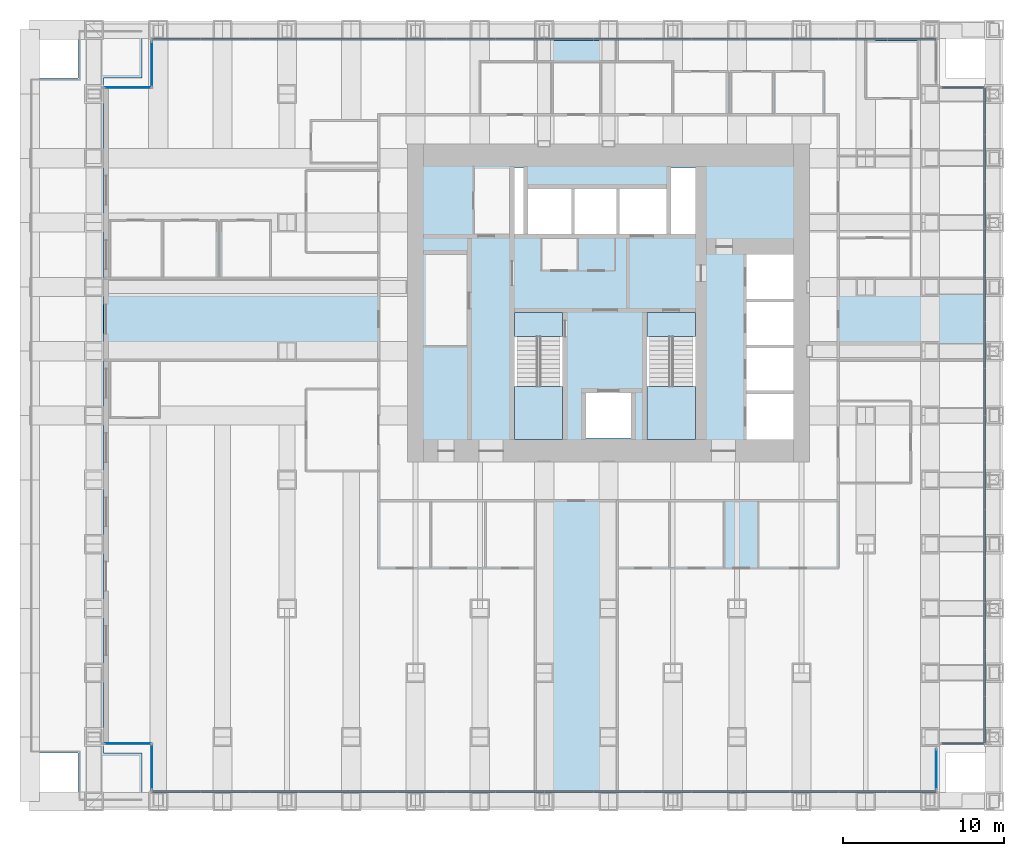
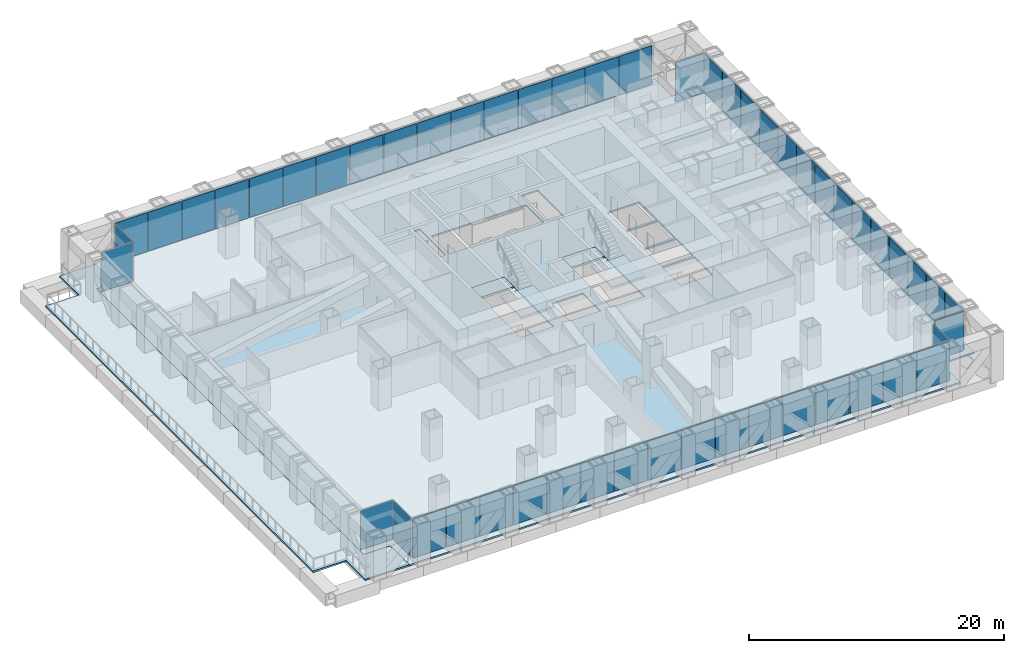
# One storey, part 12 of 18: 53 plates, 6 slabs, 12 elements without a shape of their own.
"""IFC4 building model written with IfcOpenShell, lengths in metres."""

from ifc_helpers import new_model, si_unit, direction, frame, origin, origin_2d, place, context, subcontext, project, spatial, polyline, rectangle, outline, extrude, material, layer, layer_set, type_object, element, aggregate, save


model = new_model("IFC4")

# Units and contexts
model_context = context("Model", 3, precision=1e-05, world=origin(), true_north=direction((0.0, 1.0)))
body_context = subcontext(model_context, "Body", "Model", "MODEL_VIEW")
ifc_project = project(units=[si_unit("LENGTHUNIT", "METRE"), si_unit("AREAUNIT", "SQUARE_METRE"), si_unit("VOLUMEUNIT", "CUBIC_METRE"), si_unit("PLANEANGLEUNIT", "RADIAN"), si_unit("MASSUNIT", "GRAM", prefix="KILO")], contexts=[model_context])

# Site, building, storey
site_placement = place(None, origin())
site = spatial("IfcSite", under=ifc_project, at=site_placement, CompositionType="ELEMENT")
building_placement = place(site_placement, origin())
building = spatial("IfcBuilding", under=site, at=building_placement, Name="Rimbunsela Tower", CompositionType="ELEMENT")
storey_placement = place(building_placement, frame((0.0, 0.0, 11.0)))
storey = spatial("IfcBuildingStorey", under=building, at=storey_placement, Name="L02", CompositionType="ELEMENT", Elevation=11.0)

# Slab
ifc_material_1 = material(Name="Concrete fc' 35 MPa", Category="concrete")
ifc_layer_1 = layer(ifc_material_1, 0.14990234375)
ifc_layer_set_1 = layer_set([ifc_layer_1], Name="Floor slab 150")
slab_type_1 = type_object("IfcSlabType", Name="Floor slab 150", PredefinedType="FLOOR", material=ifc_layer_set_1)
slab_1_placement = place(storey_placement, frame((0.0, 0.0, -0.14990234375)))
element("IfcSlab", 1, at=slab_1_placement, inside=storey, type_object=slab_type_1, Name="Floor slab L02", PredefinedType="FLOOR", context=body_context, shape_type="SweptSolid", body=[
    extrude(outline(polyline([(1.0, 41.0), (-1.39990234375, 41.0), (-1.39990234375, -1.0), (1.0, -1.0), (1.0, -4.0), (51.0, -4.0), (51.0, -1.0), (54.0, -1.0), (54.0, 41.0), (51.0, 41.0), (51.0, 44.0), (1.0, 44.0), (1.0, 41.0)]), holes=[polyline([(27.14990234375, 18.60009765625), (27.14990234375, 26.39990234375), (24.14990234375, 26.39990234375), (24.14990234375, 18.60009765625), (27.14990234375, 18.60009765625)]), polyline([(24.699951171875, 31.300048828125), (24.699951171875, 35.39990234375), (24.14990234375, 35.39990234375), (24.14990234375, 31.300048828125), (24.699951171875, 31.300048828125)]), polyline([(25.0, 34.10009765625), (25.0, 31.300048828125), (33.60009765625, 31.300048828125), (33.60009765625, 34.10009765625), (25.0, 34.10009765625)]), polyline([(31.39990234375, 21.39990234375), (28.60009765625, 21.39990234375), (28.60009765625, 18.60009765625), (31.39990234375, 18.60009765625), (31.39990234375, 21.39990234375)]), polyline([(35.39990234375, 18.60009765625), (35.39990234375, 26.39990234375), (32.39990234375, 26.39990234375), (32.39990234375, 18.60009765625), (35.39990234375, 18.60009765625)]), polyline([(35.39990234375, 31.300048828125), (35.39990234375, 35.39990234375), (33.89990234375, 35.39990234375), (33.89990234375, 31.300048828125), (35.39990234375, 31.300048828125)]), polyline([(41.5, 21.35009765625), (38.60009765625, 21.35009765625), (38.60009765625, 18.5), (41.5, 18.5), (41.5, 21.35009765625)]), polyline([(41.5, 21.550048828125), (41.5, 24.199951171875), (38.60009765625, 24.199951171875), (38.60009765625, 21.550048828125), (41.5, 21.550048828125)]), polyline([(41.5, 27.050048828125), (38.60009765625, 27.050048828125), (38.60009765625, 24.39990234375), (41.5, 24.39990234375), (41.5, 27.050048828125)]), polyline([(41.5, 27.25), (41.5, 30.0), (38.60009765625, 30.0), (38.60009765625, 27.25), (41.5, 27.25)])]), origin(), (0.0, 0.0, 1.0), 0.14990234375),
])

# Curtain wall, plate
ifc_material_2 = material(Name="Aluminium curtain wall", Category="aluminium")
curtain_wall_type_1 = type_object("IfcCurtainWallType", Name="Corner glazing", PredefinedType="USERDEFINED", material=ifc_material_2)
curtain_wall_1_placement = place(storey_placement, origin())
curtain_wall_1 = element("IfcCurtainWall", 2, at=curtain_wall_1_placement, inside=storey, type_object=curtain_wall_type_1, Name="Corner glazing L02", ObjectType="CORNER GLAZING", PredefinedType="USERDEFINED")
ifc_material_3 = material(Name="Clear double glazing", Category="glass")
ifc_layer_2 = layer(ifc_material_3, 0.028076171875)
ifc_layer_set_2 = layer_set([ifc_layer_2], Name="Glazed panel clear")
plate_type_1 = type_object("IfcPlateType", Name="Glazed panel clear", PredefinedType="CURTAIN_PANEL", material=ifc_layer_set_2)
plate_1_placement = place(storey_placement, frame((50.39990234375, -2.0, 0.06005859375), z_axis=(0.0, 0.0, 1.0), x_axis=(0.0, 1.0, 0.0)))
plate_1 = element("IfcPlate", 3, at=plate_1_placement, type_object=plate_type_1, Name="CW5 panel 1.1", PredefinedType="CURTAIN_PANEL", context=body_context, shape_type="SweptSolid", body=[
    extrude(rectangle(XDim=2.47998046875, YDim=0.028076171875, at=origin_2d()), origin(), (0.0, 0.0, 1.0), 3.72998046875),
])
aggregate(curtain_wall_1, [plate_1])

curtain_wall_2_placement = place(storey_placement, origin())
curtain_wall_2 = element("IfcCurtainWall", 4, at=curtain_wall_2_placement, inside=storey, type_object=curtain_wall_type_1, Name="Corner glazing L02", ObjectType="CORNER GLAZING", PredefinedType="USERDEFINED")
plate_2_placement = place(storey_placement, frame((1.60009765625, 41.85009765625, 0.06005859375), z_axis=(0.0, 0.0, 1.0), x_axis=(0.0, -1.0, 0.0)))
plate_2 = element("IfcPlate", 5, at=plate_2_placement, type_object=plate_type_1, Name="CW5 panel 1.1", PredefinedType="CURTAIN_PANEL", context=body_context, shape_type="SweptSolid", body=[
    extrude(rectangle(XDim=2.780029296875, YDim=0.028076171875, at=origin_2d()), origin(), (0.0, 0.0, 1.0), 3.72998046875),
])
aggregate(curtain_wall_2, [plate_2])

curtain_wall_3_placement = place(storey_placement, origin())
curtain_wall_3 = element("IfcCurtainWall", 6, at=curtain_wall_3_placement, inside=storey, type_object=curtain_wall_type_1, Name="Corner glazing L02", ObjectType="CORNER GLAZING", PredefinedType="USERDEFINED")
plate_3_placement = place(storey_placement, frame((0.10009765625, 40.39990234375, 0.06005859375), z_axis=(0.0, 0.0, 1.0), x_axis=(-1.0, 0.0, 0.0)))
plate_3 = element("IfcPlate", 7, at=plate_3_placement, type_object=plate_type_1, Name="CW5 panel 1.1", PredefinedType="CURTAIN_PANEL", context=body_context, shape_type="SweptSolid", body=[
    extrude(rectangle(XDim=2.8798828125, YDim=0.028076171875, at=origin_2d()), origin(), (0.0, 0.0, 1.0), 3.72998046875),
])
aggregate(curtain_wall_3, [plate_3])

curtain_wall_4_placement = place(storey_placement, origin())
curtain_wall_4 = element("IfcCurtainWall", 8, at=curtain_wall_4_placement, inside=storey, type_object=curtain_wall_type_1, Name="Corner glazing L02", ObjectType="CORNER GLAZING", PredefinedType="USERDEFINED")
plate_4_placement = place(storey_placement, frame((0.10009765625, -0.39990234375, 0.06005859375), z_axis=(0.0, 0.0, 1.0), x_axis=(1.0, 0.0, 0.0)))
plate_4 = element("IfcPlate", 9, at=plate_4_placement, type_object=plate_type_1, Name="CW5 panel 1.1", PredefinedType="CURTAIN_PANEL", context=body_context, shape_type="SweptSolid", body=[
    extrude(rectangle(XDim=2.8798828125, YDim=0.028076171875, at=origin_2d()), origin(), (0.0, 0.0, 1.0), 3.72998046875),
])
aggregate(curtain_wall_4, [plate_4])

curtain_wall_5_placement = place(storey_placement, origin())
curtain_wall_5 = element("IfcCurtainWall", 10, at=curtain_wall_5_placement, inside=storey, type_object=curtain_wall_type_1, Name="Corner glazing L02", ObjectType="CORNER GLAZING", PredefinedType="USERDEFINED")
plate_5_placement = place(storey_placement, frame((1.60009765625, -1.85009765625, 0.06005859375), z_axis=(0.0, 0.0, 1.0), x_axis=(0.0, -1.0, 0.0)))
plate_5 = element("IfcPlate", 11, at=plate_5_placement, type_object=plate_type_1, Name="CW5 panel 1.1", PredefinedType="CURTAIN_PANEL", context=body_context, shape_type="SweptSolid", body=[
    extrude(rectangle(XDim=2.780029296875, YDim=0.028076171875, at=origin_2d()), origin(), (0.0, 0.0, 1.0), 3.72998046875),
])
aggregate(curtain_wall_5, [plate_5])

ifc_material_4 = material(Name="Aluminium curtain wall", Category="aluminium")
curtain_wall_type_2 = type_object("IfcCurtainWallType", Name="Spandrel wall", PredefinedType="USERDEFINED", material=ifc_material_4)
curtain_wall_6_placement = place(storey_placement, origin())
curtain_wall_6 = element("IfcCurtainWall", 12, at=curtain_wall_6_placement, inside=storey, type_object=curtain_wall_type_2, Name="Spandrel wall L02", ObjectType="SPANDREL WALL", PredefinedType="USERDEFINED")
ifc_material_5 = material(Name="Insulated aluminium spandrel panel", Category="aluminium")
ifc_layer_3 = layer(ifc_material_5, 0.10009765625)
ifc_layer_set_3 = layer_set([ifc_layer_3], Name="Insulated panel 100")
plate_type_2 = type_object("IfcPlateType", Name="Insulated panel 100", PredefinedType="CURTAIN_PANEL", material=ifc_layer_set_3)
plate_6_placement = place(storey_placement, frame((52.050048828125, -0.39990234375, 0.06005859375), z_axis=(0.0, 0.0, 1.0), x_axis=(1.0, 0.0, 0.0)))
plate_6 = element("IfcPlate", 13, at=plate_6_placement, type_object=plate_type_2, Name="CW7 panel 1.1", PredefinedType="CURTAIN_PANEL", context=body_context, shape_type="SweptSolid", body=[
    extrude(rectangle(XDim=2.580078125, YDim=0.10009765625, at=origin_2d()), origin(), (0.0, 0.0, 1.0), 3.72998046875),
])
aggregate(curtain_wall_6, [plate_6])

# Curtain wall, plates
ifc_material_6 = material(Name="Aluminium curtain wall", Category="aluminium")
curtain_wall_type_3 = type_object("IfcCurtainWallType", Name="Exoskeleton storey infill", PredefinedType="USERDEFINED", material=ifc_material_6)
curtain_wall_7_placement = place(storey_placement, origin())
curtain_wall_7 = element("IfcCurtainWall", 14, at=curtain_wall_7_placement, inside=storey, type_object=curtain_wall_type_3, Name="Exoskeleton storey infill L02", ObjectType="EXOSKELETON STOREY INFILL", PredefinedType="USERDEFINED")
plate_7_placement = place(storey_placement, frame((53.39990234375, 1.072021484375, 0.06005859375), z_axis=(0.0, 0.0, 1.0), x_axis=(0.0, 1.0, 0.0)))
plate_7 = element("IfcPlate", 15, at=plate_7_placement, type_object=plate_type_2, Name="CW2 panel 1.1", PredefinedType="CURTAIN_PANEL", context=body_context, shape_type="SweptSolid", body=[
    extrude(rectangle(XDim=2.82421875, YDim=0.10009765625, at=origin_2d()), origin(), (0.0, 0.0, 1.0), 3.72998046875),
])
plate_8_placement = place(storey_placement, frame((53.39990234375, 3.971435546875, 0.06005859375), z_axis=(0.0, 0.0, 1.0), x_axis=(0.0, 1.0, 0.0)))
plate_8 = element("IfcPlate", 16, at=plate_8_placement, type_object=plate_type_2, Name="CW2 panel 2.1", PredefinedType="CURTAIN_PANEL", context=body_context, shape_type="SweptSolid", body=[
    extrude(rectangle(XDim=2.854248046875, YDim=0.10009765625, at=origin_2d()), origin(), (0.0, 0.0, 1.0), 3.72998046875),
])
plate_9_placement = place(storey_placement, frame((53.39990234375, 6.8857421875, 0.06005859375), z_axis=(0.0, 0.0, 1.0), x_axis=(0.0, 1.0, 0.0)))
plate_9 = element("IfcPlate", 17, at=plate_9_placement, type_object=plate_type_2, Name="CW2 panel 3.1", PredefinedType="CURTAIN_PANEL", context=body_context, shape_type="SweptSolid", body=[
    extrude(rectangle(XDim=2.854248046875, YDim=0.10009765625, at=origin_2d()), origin(), (0.0, 0.0, 1.0), 3.72998046875),
])
plate_10_placement = place(storey_placement, frame((53.39990234375, 9.800048828125, 0.06005859375), z_axis=(0.0, 0.0, 1.0), x_axis=(0.0, 1.0, 0.0)))
plate_10 = element("IfcPlate", 18, at=plate_10_placement, type_object=plate_type_2, Name="CW2 panel 4.1", PredefinedType="CURTAIN_PANEL", context=body_context, shape_type="SweptSolid", body=[
    extrude(rectangle(XDim=2.854248046875, YDim=0.10009765625, at=origin_2d()), origin(), (0.0, 0.0, 1.0), 3.72998046875),
])
plate_11_placement = place(storey_placement, frame((53.39990234375, 12.71435546875, 0.06005859375), z_axis=(0.0, 0.0, 1.0), x_axis=(0.0, 1.0, 0.0)))
plate_11 = element("IfcPlate", 19, at=plate_11_placement, type_object=plate_type_2, Name="CW2 panel 5.1", PredefinedType="CURTAIN_PANEL", context=body_context, shape_type="SweptSolid", body=[
    extrude(rectangle(XDim=2.854248046875, YDim=0.10009765625, at=origin_2d()), origin(), (0.0, 0.0, 1.0), 3.72998046875),
])
plate_12_placement = place(storey_placement, frame((53.39990234375, 15.628662109375, 0.06005859375), z_axis=(0.0, 0.0, 1.0), x_axis=(0.0, 1.0, 0.0)))
plate_12 = element("IfcPlate", 20, at=plate_12_placement, type_object=plate_type_2, Name="CW2 panel 6.1", PredefinedType="CURTAIN_PANEL", context=body_context, shape_type="SweptSolid", body=[
    extrude(rectangle(XDim=2.854248046875, YDim=0.10009765625, at=origin_2d()), origin(), (0.0, 0.0, 1.0), 3.72998046875),
])
plate_13_placement = place(storey_placement, frame((53.39990234375, 18.54296875, 0.06005859375), z_axis=(0.0, 0.0, 1.0), x_axis=(0.0, 1.0, 0.0)))
plate_13 = element("IfcPlate", 21, at=plate_13_placement, type_object=plate_type_2, Name="CW2 panel 7.1", PredefinedType="CURTAIN_PANEL", context=body_context, shape_type="SweptSolid", body=[
    extrude(rectangle(XDim=2.854248046875, YDim=0.10009765625, at=origin_2d()), origin(), (0.0, 0.0, 1.0), 3.72998046875),
])
plate_14_placement = place(storey_placement, frame((53.39990234375, 21.45703125, 0.06005859375), z_axis=(0.0, 0.0, 1.0), x_axis=(0.0, 1.0, 0.0)))
plate_14 = element("IfcPlate", 22, at=plate_14_placement, type_object=plate_type_2, Name="CW2 panel 8.1", PredefinedType="CURTAIN_PANEL", context=body_context, shape_type="SweptSolid", body=[
    extrude(rectangle(XDim=2.854248046875, YDim=0.10009765625, at=origin_2d()), origin(), (0.0, 0.0, 1.0), 3.72998046875),
])
plate_15_placement = place(storey_placement, frame((53.39990234375, 24.371337890625, 0.06005859375), z_axis=(0.0, 0.0, 1.0), x_axis=(0.0, 1.0, 0.0)))
plate_15 = element("IfcPlate", 23, at=plate_15_placement, type_object=plate_type_2, Name="CW2 panel 9.1", PredefinedType="CURTAIN_PANEL", context=body_context, shape_type="SweptSolid", body=[
    extrude(rectangle(XDim=2.854248046875, YDim=0.10009765625, at=origin_2d()), origin(), (0.0, 0.0, 1.0), 3.72998046875),
])
plate_16_placement = place(storey_placement, frame((53.39990234375, 27.28564453125, 0.06005859375), z_axis=(0.0, 0.0, 1.0), x_axis=(0.0, 1.0, 0.0)))
plate_16 = element("IfcPlate", 24, at=plate_16_placement, type_object=plate_type_2, Name="CW2 panel 10.1", PredefinedType="CURTAIN_PANEL", context=body_context, shape_type="SweptSolid", body=[
    extrude(rectangle(XDim=2.854248046875, YDim=0.10009765625, at=origin_2d()), origin(), (0.0, 0.0, 1.0), 3.72998046875),
])
plate_17_placement = place(storey_placement, frame((53.39990234375, 30.199951171875, 0.06005859375), z_axis=(0.0, 0.0, 1.0), x_axis=(0.0, 1.0, 0.0)))
plate_17 = element("IfcPlate", 25, at=plate_17_placement, type_object=plate_type_2, Name="CW2 panel 11.1", PredefinedType="CURTAIN_PANEL", context=body_context, shape_type="SweptSolid", body=[
    extrude(rectangle(XDim=2.854248046875, YDim=0.10009765625, at=origin_2d()), origin(), (0.0, 0.0, 1.0), 3.72998046875),
])
plate_18_placement = place(storey_placement, frame((53.39990234375, 33.1142578125, 0.06005859375), z_axis=(0.0, 0.0, 1.0), x_axis=(0.0, 1.0, 0.0)))
plate_18 = element("IfcPlate", 26, at=plate_18_placement, type_object=plate_type_2, Name="CW2 panel 12.1", PredefinedType="CURTAIN_PANEL", context=body_context, shape_type="SweptSolid", body=[
    extrude(rectangle(XDim=2.854248046875, YDim=0.10009765625, at=origin_2d()), origin(), (0.0, 0.0, 1.0), 3.72998046875),
])
plate_19_placement = place(storey_placement, frame((53.39990234375, 36.028564453125, 0.06005859375), z_axis=(0.0, 0.0, 1.0), x_axis=(0.0, 1.0, 0.0)))
plate_19 = element("IfcPlate", 27, at=plate_19_placement, type_object=plate_type_2, Name="CW2 panel 13.1", PredefinedType="CURTAIN_PANEL", context=body_context, shape_type="SweptSolid", body=[
    extrude(rectangle(XDim=2.854248046875, YDim=0.10009765625, at=origin_2d()), origin(), (0.0, 0.0, 1.0), 3.72998046875),
])
plate_20_placement = place(storey_placement, frame((53.39990234375, 38.927978515625, 0.06005859375), z_axis=(0.0, 0.0, 1.0), x_axis=(0.0, 1.0, 0.0)))
plate_20 = element("IfcPlate", 28, at=plate_20_placement, type_object=plate_type_2, Name="CW2 panel 14.1", PredefinedType="CURTAIN_PANEL", context=body_context, shape_type="SweptSolid", body=[
    extrude(rectangle(XDim=2.82421875, YDim=0.10009765625, at=origin_2d()), origin(), (0.0, 0.0, 1.0), 3.72998046875),
])
aggregate(curtain_wall_7, [plate_7, plate_8, plate_9, plate_10, plate_11, plate_12, plate_13, plate_14, plate_15, plate_16, plate_17, plate_18, plate_19, plate_20])

# Curtain wall, plate
curtain_wall_8_placement = place(storey_placement, origin())
curtain_wall_8 = element("IfcCurtainWall", 29, at=curtain_wall_8_placement, inside=storey, type_object=curtain_wall_type_2, Name="Spandrel wall L02", ObjectType="SPANDREL WALL", PredefinedType="USERDEFINED")
plate_21_placement = place(storey_placement, frame((52.050048828125, 40.39990234375, 0.06005859375), z_axis=(0.0, 0.0, 1.0), x_axis=(-1.0, 0.0, 0.0)))
plate_21 = element("IfcPlate", 30, at=plate_21_placement, type_object=plate_type_2, Name="CW7 panel 1.1", PredefinedType="CURTAIN_PANEL", context=body_context, shape_type="SweptSolid", body=[
    extrude(rectangle(XDim=2.580078125, YDim=0.10009765625, at=origin_2d()), origin(), (0.0, 0.0, 1.0), 3.72998046875),
])
aggregate(curtain_wall_8, [plate_21])

# Curtain wall, plates
curtain_wall_9_placement = place(storey_placement, origin())
curtain_wall_9 = element("IfcCurtainWall", 31, at=curtain_wall_9_placement, inside=storey, type_object=curtain_wall_type_3, Name="Exoskeleton storey infill L02", ObjectType="EXOSKELETON STOREY INFILL", PredefinedType="USERDEFINED")
plate_22_placement = place(storey_placement, frame((48.860107421875, 43.39990234375, 0.06005859375), z_axis=(0.0, 0.0, 1.0), x_axis=(-1.0, 0.0, 0.0)))
plate_22 = element("IfcPlate", 32, at=plate_22_placement, type_object=plate_type_2, Name="CW2 panel 1.1", PredefinedType="CURTAIN_PANEL", context=body_context, shape_type="SweptSolid", body=[
    extrude(rectangle(XDim=2.9599609375, YDim=0.10009765625, at=origin_2d()), origin(), (0.0, 0.0, 1.0), 3.72998046875),
])
plate_23_placement = place(storey_placement, frame((45.824951171875, 43.39990234375, 0.06005859375), z_axis=(0.0, 0.0, 1.0), x_axis=(-1.0, 0.0, 0.0)))
plate_23 = element("IfcPlate", 33, at=plate_23_placement, type_object=plate_type_2, Name="CW2 panel 2.1", PredefinedType="CURTAIN_PANEL", context=body_context, shape_type="SweptSolid", body=[
    extrude(rectangle(XDim=2.989990234375, YDim=0.10009765625, at=origin_2d()), origin(), (0.0, 0.0, 1.0), 3.72998046875),
])
plate_24_placement = place(storey_placement, frame((42.77490234375, 43.39990234375, 0.06005859375), z_axis=(0.0, 0.0, 1.0), x_axis=(-1.0, 0.0, 0.0)))
plate_24 = element("IfcPlate", 34, at=plate_24_placement, type_object=plate_type_2, Name="CW2 panel 3.1", PredefinedType="CURTAIN_PANEL", context=body_context, shape_type="SweptSolid", body=[
    extrude(rectangle(XDim=2.989990234375, YDim=0.10009765625, at=origin_2d()), origin(), (0.0, 0.0, 1.0), 3.72998046875),
])
plate_25_placement = place(storey_placement, frame((39.72509765625, 43.39990234375, 0.06005859375), z_axis=(0.0, 0.0, 1.0), x_axis=(-1.0, 0.0, 0.0)))
plate_25 = element("IfcPlate", 35, at=plate_25_placement, type_object=plate_type_2, Name="CW2 panel 4.1", PredefinedType="CURTAIN_PANEL", context=body_context, shape_type="SweptSolid", body=[
    extrude(rectangle(XDim=2.989990234375, YDim=0.10009765625, at=origin_2d()), origin(), (0.0, 0.0, 1.0), 3.72998046875),
])
plate_26_placement = place(storey_placement, frame((36.675048828125, 43.39990234375, 0.06005859375), z_axis=(0.0, 0.0, 1.0), x_axis=(-1.0, 0.0, 0.0)))
plate_26 = element("IfcPlate", 36, at=plate_26_placement, type_object=plate_type_2, Name="CW2 panel 5.1", PredefinedType="CURTAIN_PANEL", context=body_context, shape_type="SweptSolid", body=[
    extrude(rectangle(XDim=2.989990234375, YDim=0.10009765625, at=origin_2d()), origin(), (0.0, 0.0, 1.0), 3.72998046875),
])
plate_27_placement = place(storey_placement, frame((33.625, 43.39990234375, 0.06005859375), z_axis=(0.0, 0.0, 1.0), x_axis=(-1.0, 0.0, 0.0)))
plate_27 = element("IfcPlate", 37, at=plate_27_placement, type_object=plate_type_2, Name="CW2 panel 6.1", PredefinedType="CURTAIN_PANEL", context=body_context, shape_type="SweptSolid", body=[
    extrude(rectangle(XDim=2.989990234375, YDim=0.10009765625, at=origin_2d()), origin(), (0.0, 0.0, 1.0), 3.72998046875),
])
plate_28_placement = place(storey_placement, frame((30.574951171875, 43.39990234375, 0.06005859375), z_axis=(0.0, 0.0, 1.0), x_axis=(-1.0, 0.0, 0.0)))
plate_28 = element("IfcPlate", 38, at=plate_28_placement, type_object=plate_type_2, Name="CW2 panel 7.1", PredefinedType="CURTAIN_PANEL", context=body_context, shape_type="SweptSolid", body=[
    extrude(rectangle(XDim=2.989990234375, YDim=0.10009765625, at=origin_2d()), origin(), (0.0, 0.0, 1.0), 3.72998046875),
])
plate_29_placement = place(storey_placement, frame((27.52490234375, 43.39990234375, 0.06005859375), z_axis=(0.0, 0.0, 1.0), x_axis=(-1.0, 0.0, 0.0)))
plate_29 = element("IfcPlate", 39, at=plate_29_placement, type_object=plate_type_2, Name="CW2 panel 8.1", PredefinedType="CURTAIN_PANEL", context=body_context, shape_type="SweptSolid", body=[
    extrude(rectangle(XDim=2.989990234375, YDim=0.10009765625, at=origin_2d()), origin(), (0.0, 0.0, 1.0), 3.72998046875),
])
plate_30_placement = place(storey_placement, frame((24.47509765625, 43.39990234375, 0.06005859375), z_axis=(0.0, 0.0, 1.0), x_axis=(-1.0, 0.0, 0.0)))
plate_30 = element("IfcPlate", 40, at=plate_30_placement, type_object=plate_type_2, Name="CW2 panel 9.1", PredefinedType="CURTAIN_PANEL", context=body_context, shape_type="SweptSolid", body=[
    extrude(rectangle(XDim=2.989990234375, YDim=0.10009765625, at=origin_2d()), origin(), (0.0, 0.0, 1.0), 3.72998046875),
])
plate_31_placement = place(storey_placement, frame((21.425048828125, 43.39990234375, 0.06005859375), z_axis=(0.0, 0.0, 1.0), x_axis=(-1.0, 0.0, 0.0)))
plate_31 = element("IfcPlate", 41, at=plate_31_placement, type_object=plate_type_2, Name="CW2 panel 10.1", PredefinedType="CURTAIN_PANEL", context=body_context, shape_type="SweptSolid", body=[
    extrude(rectangle(XDim=2.989990234375, YDim=0.10009765625, at=origin_2d()), origin(), (0.0, 0.0, 1.0), 3.72998046875),
])
plate_32_placement = place(storey_placement, frame((18.375, 43.39990234375, 0.06005859375), z_axis=(0.0, 0.0, 1.0), x_axis=(-1.0, 0.0, 0.0)))
plate_32 = element("IfcPlate", 42, at=plate_32_placement, type_object=plate_type_2, Name="CW2 panel 11.1", PredefinedType="CURTAIN_PANEL", context=body_context, shape_type="SweptSolid", body=[
    extrude(rectangle(XDim=2.989990234375, YDim=0.10009765625, at=origin_2d()), origin(), (0.0, 0.0, 1.0), 3.72998046875),
])
plate_33_placement = place(storey_placement, frame((15.324951171875, 43.39990234375, 0.06005859375), z_axis=(0.0, 0.0, 1.0), x_axis=(-1.0, 0.0, 0.0)))
plate_33 = element("IfcPlate", 43, at=plate_33_placement, type_object=plate_type_2, Name="CW2 panel 12.1", PredefinedType="CURTAIN_PANEL", context=body_context, shape_type="SweptSolid", body=[
    extrude(rectangle(XDim=2.989990234375, YDim=0.10009765625, at=origin_2d()), origin(), (0.0, 0.0, 1.0), 3.72998046875),
])
plate_34_placement = place(storey_placement, frame((12.27490234375, 43.39990234375, 0.06005859375), z_axis=(0.0, 0.0, 1.0), x_axis=(-1.0, 0.0, 0.0)))
plate_34 = element("IfcPlate", 44, at=plate_34_placement, type_object=plate_type_2, Name="CW2 panel 13.1", PredefinedType="CURTAIN_PANEL", context=body_context, shape_type="SweptSolid", body=[
    extrude(rectangle(XDim=2.989990234375, YDim=0.10009765625, at=origin_2d()), origin(), (0.0, 0.0, 1.0), 3.72998046875),
])
plate_35_placement = place(storey_placement, frame((9.22509765625, 43.39990234375, 0.06005859375), z_axis=(0.0, 0.0, 1.0), x_axis=(-1.0, 0.0, 0.0)))
plate_35 = element("IfcPlate", 45, at=plate_35_placement, type_object=plate_type_2, Name="CW2 panel 14.1", PredefinedType="CURTAIN_PANEL", context=body_context, shape_type="SweptSolid", body=[
    extrude(rectangle(XDim=2.989990234375, YDim=0.10009765625, at=origin_2d()), origin(), (0.0, 0.0, 1.0), 3.72998046875),
])
plate_36_placement = place(storey_placement, frame((6.175048828125, 43.39990234375, 0.06005859375), z_axis=(0.0, 0.0, 1.0), x_axis=(-1.0, 0.0, 0.0)))
plate_36 = element("IfcPlate", 46, at=plate_36_placement, type_object=plate_type_2, Name="CW2 panel 15.1", PredefinedType="CURTAIN_PANEL", context=body_context, shape_type="SweptSolid", body=[
    extrude(rectangle(XDim=2.989990234375, YDim=0.10009765625, at=origin_2d()), origin(), (0.0, 0.0, 1.0), 3.72998046875),
])
plate_37_placement = place(storey_placement, frame((3.139892578125, 43.39990234375, 0.06005859375), z_axis=(0.0, 0.0, 1.0), x_axis=(-1.0, 0.0, 0.0)))
plate_37 = element("IfcPlate", 47, at=plate_37_placement, type_object=plate_type_2, Name="CW2 panel 16.1", PredefinedType="CURTAIN_PANEL", context=body_context, shape_type="SweptSolid", body=[
    extrude(rectangle(XDim=2.9599609375, YDim=0.10009765625, at=origin_2d()), origin(), (0.0, 0.0, 1.0), 3.72998046875),
])
aggregate(curtain_wall_9, [plate_22, plate_23, plate_24, plate_25, plate_26, plate_27, plate_28, plate_29, plate_30, plate_31, plate_32, plate_33, plate_34, plate_35, plate_36, plate_37])

curtain_wall_10_placement = place(storey_placement, origin())
curtain_wall_10 = element("IfcCurtainWall", 48, at=curtain_wall_10_placement, inside=storey, type_object=curtain_wall_type_3, Name="Exoskeleton storey infill L02", ObjectType="EXOSKELETON STOREY INFILL", PredefinedType="USERDEFINED")
plate_38_placement = place(storey_placement, frame((3.139892578125, -3.39990234375, 0.06005859375), z_axis=(0.0, 0.0, 1.0), x_axis=(1.0, 0.0, 0.0)))
plate_38 = element("IfcPlate", 49, at=plate_38_placement, type_object=plate_type_2, Name="CW2 panel 1.1", PredefinedType="CURTAIN_PANEL", context=body_context, shape_type="SweptSolid", body=[
    extrude(rectangle(XDim=2.9599609375, YDim=0.10009765625, at=origin_2d()), origin(), (0.0, 0.0, 1.0), 3.72998046875),
])
plate_39_placement = place(storey_placement, frame((6.175048828125, -3.39990234375, 0.06005859375), z_axis=(0.0, 0.0, 1.0), x_axis=(1.0, 0.0, 0.0)))
plate_39 = element("IfcPlate", 50, at=plate_39_placement, type_object=plate_type_2, Name="CW2 panel 2.1", PredefinedType="CURTAIN_PANEL", context=body_context, shape_type="SweptSolid", body=[
    extrude(rectangle(XDim=2.989990234375, YDim=0.10009765625, at=origin_2d()), origin(), (0.0, 0.0, 1.0), 3.72998046875),
])
plate_40_placement = place(storey_placement, frame((9.22509765625, -3.39990234375, 0.06005859375), z_axis=(0.0, 0.0, 1.0), x_axis=(1.0, 0.0, 0.0)))
plate_40 = element("IfcPlate", 51, at=plate_40_placement, type_object=plate_type_2, Name="CW2 panel 3.1", PredefinedType="CURTAIN_PANEL", context=body_context, shape_type="SweptSolid", body=[
    extrude(rectangle(XDim=2.989990234375, YDim=0.10009765625, at=origin_2d()), origin(), (0.0, 0.0, 1.0), 3.72998046875),
])
plate_41_placement = place(storey_placement, frame((12.27490234375, -3.39990234375, 0.06005859375), z_axis=(0.0, 0.0, 1.0), x_axis=(1.0, 0.0, 0.0)))
plate_41 = element("IfcPlate", 52, at=plate_41_placement, type_object=plate_type_2, Name="CW2 panel 4.1", PredefinedType="CURTAIN_PANEL", context=body_context, shape_type="SweptSolid", body=[
    extrude(rectangle(XDim=2.989990234375, YDim=0.10009765625, at=origin_2d()), origin(), (0.0, 0.0, 1.0), 3.72998046875),
])
plate_42_placement = place(storey_placement, frame((15.324951171875, -3.39990234375, 0.06005859375), z_axis=(0.0, 0.0, 1.0), x_axis=(1.0, 0.0, 0.0)))
plate_42 = element("IfcPlate", 53, at=plate_42_placement, type_object=plate_type_2, Name="CW2 panel 5.1", PredefinedType="CURTAIN_PANEL", context=body_context, shape_type="SweptSolid", body=[
    extrude(rectangle(XDim=2.989990234375, YDim=0.10009765625, at=origin_2d()), origin(), (0.0, 0.0, 1.0), 3.72998046875),
])
plate_43_placement = place(storey_placement, frame((18.375, -3.39990234375, 0.06005859375), z_axis=(0.0, 0.0, 1.0), x_axis=(1.0, 0.0, 0.0)))
plate_43 = element("IfcPlate", 54, at=plate_43_placement, type_object=plate_type_2, Name="CW2 panel 6.1", PredefinedType="CURTAIN_PANEL", context=body_context, shape_type="SweptSolid", body=[
    extrude(rectangle(XDim=2.989990234375, YDim=0.10009765625, at=origin_2d()), origin(), (0.0, 0.0, 1.0), 3.72998046875),
])
plate_44_placement = place(storey_placement, frame((21.425048828125, -3.39990234375, 0.06005859375), z_axis=(0.0, 0.0, 1.0), x_axis=(1.0, 0.0, 0.0)))
plate_44 = element("IfcPlate", 55, at=plate_44_placement, type_object=plate_type_2, Name="CW2 panel 7.1", PredefinedType="CURTAIN_PANEL", context=body_context, shape_type="SweptSolid", body=[
    extrude(rectangle(XDim=2.989990234375, YDim=0.10009765625, at=origin_2d()), origin(), (0.0, 0.0, 1.0), 3.72998046875),
])
plate_45_placement = place(storey_placement, frame((24.47509765625, -3.39990234375, 0.06005859375), z_axis=(0.0, 0.0, 1.0), x_axis=(1.0, 0.0, 0.0)))
plate_45 = element("IfcPlate", 56, at=plate_45_placement, type_object=plate_type_2, Name="CW2 panel 8.1", PredefinedType="CURTAIN_PANEL", context=body_context, shape_type="SweptSolid", body=[
    extrude(rectangle(XDim=2.989990234375, YDim=0.10009765625, at=origin_2d()), origin(), (0.0, 0.0, 1.0), 3.72998046875),
])
plate_46_placement = place(storey_placement, frame((27.52490234375, -3.39990234375, 0.06005859375), z_axis=(0.0, 0.0, 1.0), x_axis=(1.0, 0.0, 0.0)))
plate_46 = element("IfcPlate", 57, at=plate_46_placement, type_object=plate_type_2, Name="CW2 panel 9.1", PredefinedType="CURTAIN_PANEL", context=body_context, shape_type="SweptSolid", body=[
    extrude(rectangle(XDim=2.989990234375, YDim=0.10009765625, at=origin_2d()), origin(), (0.0, 0.0, 1.0), 3.72998046875),
])
plate_47_placement = place(storey_placement, frame((30.574951171875, -3.39990234375, 0.06005859375), z_axis=(0.0, 0.0, 1.0), x_axis=(1.0, 0.0, 0.0)))
plate_47 = element("IfcPlate", 58, at=plate_47_placement, type_object=plate_type_2, Name="CW2 panel 10.1", PredefinedType="CURTAIN_PANEL", context=body_context, shape_type="SweptSolid", body=[
    extrude(rectangle(XDim=2.989990234375, YDim=0.10009765625, at=origin_2d()), origin(), (0.0, 0.0, 1.0), 3.72998046875),
])
plate_48_placement = place(storey_placement, frame((33.625, -3.39990234375, 0.06005859375), z_axis=(0.0, 0.0, 1.0), x_axis=(1.0, 0.0, 0.0)))
plate_48 = element("IfcPlate", 59, at=plate_48_placement, type_object=plate_type_2, Name="CW2 panel 11.1", PredefinedType="CURTAIN_PANEL", context=body_context, shape_type="SweptSolid", body=[
    extrude(rectangle(XDim=2.989990234375, YDim=0.10009765625, at=origin_2d()), origin(), (0.0, 0.0, 1.0), 3.72998046875),
])
plate_49_placement = place(storey_placement, frame((36.675048828125, -3.39990234375, 0.06005859375), z_axis=(0.0, 0.0, 1.0), x_axis=(1.0, 0.0, 0.0)))
plate_49 = element("IfcPlate", 60, at=plate_49_placement, type_object=plate_type_2, Name="CW2 panel 12.1", PredefinedType="CURTAIN_PANEL", context=body_context, shape_type="SweptSolid", body=[
    extrude(rectangle(XDim=2.989990234375, YDim=0.10009765625, at=origin_2d()), origin(), (0.0, 0.0, 1.0), 3.72998046875),
])
plate_50_placement = place(storey_placement, frame((39.72509765625, -3.39990234375, 0.06005859375), z_axis=(0.0, 0.0, 1.0), x_axis=(1.0, 0.0, 0.0)))
plate_50 = element("IfcPlate", 61, at=plate_50_placement, type_object=plate_type_2, Name="CW2 panel 13.1", PredefinedType="CURTAIN_PANEL", context=body_context, shape_type="SweptSolid", body=[
    extrude(rectangle(XDim=2.989990234375, YDim=0.10009765625, at=origin_2d()), origin(), (0.0, 0.0, 1.0), 3.72998046875),
])
plate_51_placement = place(storey_placement, frame((42.77490234375, -3.39990234375, 0.06005859375), z_axis=(0.0, 0.0, 1.0), x_axis=(1.0, 0.0, 0.0)))
plate_51 = element("IfcPlate", 62, at=plate_51_placement, type_object=plate_type_2, Name="CW2 panel 14.1", PredefinedType="CURTAIN_PANEL", context=body_context, shape_type="SweptSolid", body=[
    extrude(rectangle(XDim=2.989990234375, YDim=0.10009765625, at=origin_2d()), origin(), (0.0, 0.0, 1.0), 3.72998046875),
])
plate_52_placement = place(storey_placement, frame((45.824951171875, -3.39990234375, 0.06005859375), z_axis=(0.0, 0.0, 1.0), x_axis=(1.0, 0.0, 0.0)))
plate_52 = element("IfcPlate", 63, at=plate_52_placement, type_object=plate_type_2, Name="CW2 panel 15.1", PredefinedType="CURTAIN_PANEL", context=body_context, shape_type="SweptSolid", body=[
    extrude(rectangle(XDim=2.989990234375, YDim=0.10009765625, at=origin_2d()), origin(), (0.0, 0.0, 1.0), 3.72998046875),
])
plate_53_placement = place(storey_placement, frame((48.860107421875, -3.39990234375, 0.06005859375), z_axis=(0.0, 0.0, 1.0), x_axis=(1.0, 0.0, 0.0)))
plate_53 = element("IfcPlate", 64, at=plate_53_placement, type_object=plate_type_2, Name="CW2 panel 16.1", PredefinedType="CURTAIN_PANEL", context=body_context, shape_type="SweptSolid", body=[
    extrude(rectangle(XDim=2.9599609375, YDim=0.10009765625, at=origin_2d()), origin(), (0.0, 0.0, 1.0), 3.72998046875),
])
aggregate(curtain_wall_10, [plate_38, plate_39, plate_40, plate_41, plate_42, plate_43, plate_44, plate_45, plate_46, plate_47, plate_48, plate_49, plate_50, plate_51, plate_52, plate_53])

# Stair, slabs
ifc_material_7 = material(Name="Concrete fc' 35 MPa", Category="concrete")
stair_type = type_object("IfcStairType", Name="Exit stair 24 risers", PredefinedType="HALF_TURN_STAIR", material=ifc_material_7)
stair_1_placement = place(storey_placement, origin())
stair_1 = element("IfcStair", 65, at=stair_1_placement, inside=storey, type_object=stair_type, Name="Exit stair A L02", PredefinedType="HALF_TURN_STAIR")
ifc_material_8 = material(Name="Concrete fc' 35 MPa", Category="concrete")
ifc_layer_4 = layer(ifc_material_8, 0.199951171875)
ifc_layer_set_4 = layer_set([ifc_layer_4], Name="Stair landing 200")
slab_type_2 = type_object("IfcSlabType", Name="Stair landing 200", PredefinedType="LANDING", material=ifc_layer_set_4)
slab_2_placement = place(storey_placement, frame((0.0, 0.0, -0.199951171875)))
slab_2 = element("IfcSlab", 66, at=slab_2_placement, type_object=slab_type_2, Name="ST-A landing 1", PredefinedType="LANDING", context=body_context, shape_type="SweptSolid", body=[
    extrude(outline(polyline([(24.14990234375, 24.89990234375), (27.14990234375, 24.89990234375), (27.14990234375, 26.39990234375), (24.14990234375, 26.39990234375), (24.14990234375, 24.89990234375)])), origin(), (0.0, 0.0, 1.0), 0.199951171875),
])
slab_3_placement = place(storey_placement, frame((0.0, 0.0, 1.800048828125)))
slab_3 = element("IfcSlab", 67, at=slab_3_placement, type_object=slab_type_2, Name="ST-A landing 2", PredefinedType="LANDING", context=body_context, shape_type="SweptSolid", body=[
    extrude(outline(polyline([(24.14990234375, 18.5), (27.14990234375, 18.5), (27.14990234375, 21.820068359375), (24.14990234375, 21.820068359375), (24.14990234375, 18.5)])), origin(), (0.0, 0.0, 1.0), 0.199951171875),
])
aggregate(stair_1, [slab_2, slab_3])

stair_2_placement = place(storey_placement, origin())
stair_2 = element("IfcStair", 68, at=stair_2_placement, inside=storey, type_object=stair_type, Name="Exit stair B L02", PredefinedType="HALF_TURN_STAIR")
slab_4_placement = place(storey_placement, frame((0.0, 0.0, -0.199951171875)))
slab_4 = element("IfcSlab", 69, at=slab_4_placement, type_object=slab_type_2, Name="ST-B landing 1", PredefinedType="LANDING", context=body_context, shape_type="SweptSolid", body=[
    extrude(outline(polyline([(32.39990234375, 24.89990234375), (35.39990234375, 24.89990234375), (35.39990234375, 26.39990234375), (32.39990234375, 26.39990234375), (32.39990234375, 24.89990234375)])), origin(), (0.0, 0.0, 1.0), 0.199951171875),
])
slab_5_placement = place(storey_placement, frame((0.0, 0.0, 1.800048828125)))
slab_5 = element("IfcSlab", 70, at=slab_5_placement, type_object=slab_type_2, Name="ST-B landing 2", PredefinedType="LANDING", context=body_context, shape_type="SweptSolid", body=[
    extrude(outline(polyline([(32.39990234375, 18.5), (35.39990234375, 18.5), (35.39990234375, 21.820068359375), (32.39990234375, 21.820068359375), (32.39990234375, 18.5)])), origin(), (0.0, 0.0, 1.0), 0.199951171875),
])
aggregate(stair_2, [slab_4, slab_5])

# Slab
ifc_material_9 = material(Name="Concrete fc' 35 MPa", Category="concrete")
ifc_layer_5 = layer(ifc_material_9, 0.14990234375)
ifc_layer_set_5 = layer_set([ifc_layer_5], Name="Terrace slab 150")
slab_type_3 = type_object("IfcSlabType", Name="Terrace slab 150", PredefinedType="ROOF", material=ifc_layer_set_5)
slab_6_placement = place(storey_placement, frame((0.0, 0.0, -0.14990234375)))
element("IfcSlab", 71, at=slab_6_placement, inside=storey, type_object=slab_type_3, Name="Terrace L02", PredefinedType="ROOF", context=body_context, shape_type="SweptSolid", body=[
    extrude(outline(polyline([(-3.0, -4.0), (-3.0, -1.0), (-6.0, -1.0), (-6.0, 41.0), (-3.0, 41.0), (-3.0, 44.0), (1.0, 44.0), (1.0, 41.0), (-1.39990234375, 41.0), (-1.39990234375, -1.0), (1.0, -1.0), (1.0, -4.0), (-3.0, -4.0)])), origin(), (0.0, 0.0, 1.0), 0.14990234375),
])

save(model, "model.ifc")
